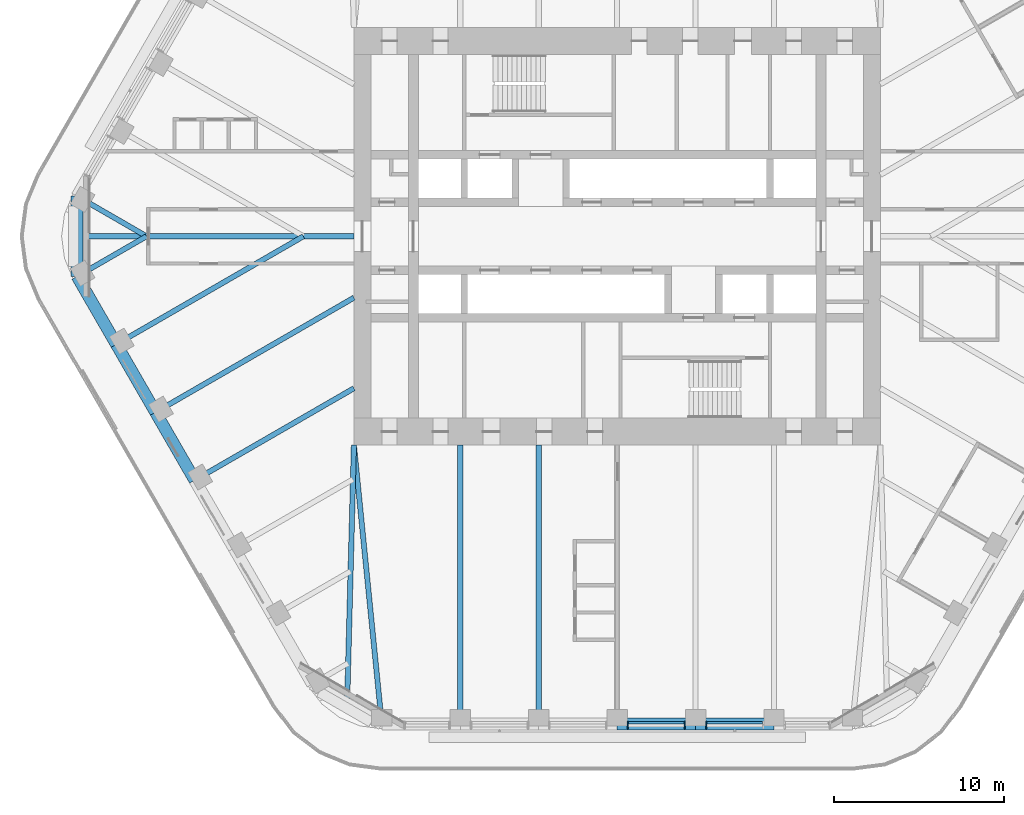
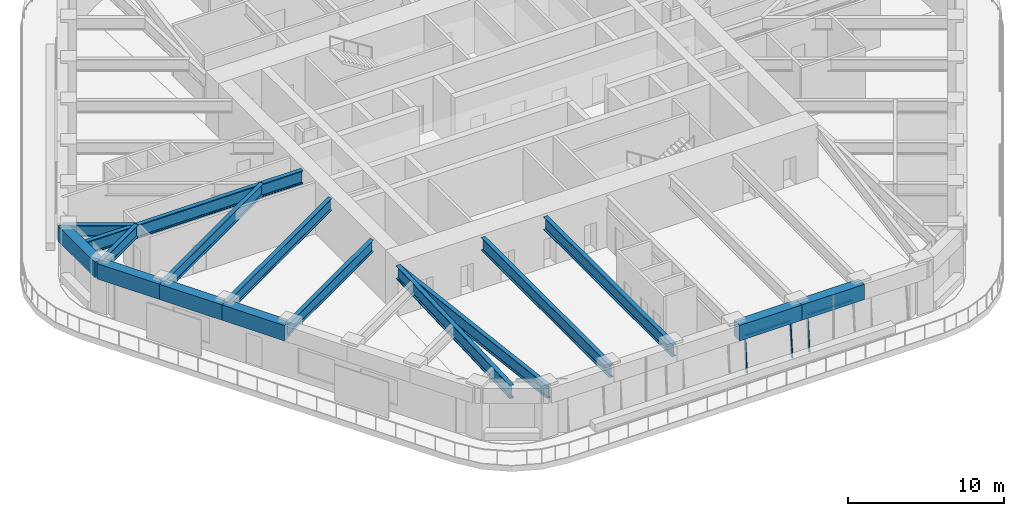
# One storey, part 3 of 20: 16 beams, 5 members, 2 elements without a shape of their own.
"""IFC4 building model written with IfcOpenShell, lengths in metres."""

from ifc_helpers import new_model, si_unit, direction, frame, origin, origin_2d, place, context, subcontext, project, spatial, rectangle, i_section, extrude, material, material_profile, profile_set, type_object, element, aggregate, save


model = new_model("IFC4")

# Units and contexts
model_context = context("Model", 3, precision=1e-05, world=origin(), true_north=direction((0.0, 1.0)))
body_context = subcontext(model_context, "Body", "Model", "MODEL_VIEW")
ifc_project = project(units=[si_unit("LENGTHUNIT", "METRE"), si_unit("AREAUNIT", "SQUARE_METRE"), si_unit("VOLUMEUNIT", "CUBIC_METRE"), si_unit("PLANEANGLEUNIT", "RADIAN"), si_unit("MASSUNIT", "GRAM", prefix="KILO")], contexts=[model_context])

# Site, building, storey
site_placement = place(None, origin())
site = spatial("IfcSite", under=ifc_project, at=site_placement, CompositionType="ELEMENT")
building_placement = place(site_placement, origin())
building = spatial("IfcBuilding", under=site, at=building_placement, Name="Tarfa Lantern Tower", CompositionType="ELEMENT")
storey_placement = place(building_placement, frame((0.0, 0.0, 270.10009765625)))
storey = spatial("IfcBuildingStorey", under=building, at=storey_placement, Name="L61", CompositionType="ELEMENT", Elevation=270.10009765625)

# Curtain wall, members
ifc_material_1 = material(Name="Aluminium framed curtain wall", Category="aluminium")
curtain_wall_type = type_object("IfcCurtainWallType", Name="CW3 CANTED GLAZING HIGH ZONE 2800", PredefinedType="USERDEFINED", material=ifc_material_1)
curtain_wall_1_placement = place(storey_placement, origin())
curtain_wall_1 = element("IfcCurtainWall", 1, at=curtain_wall_1_placement, inside=storey, type_object=curtain_wall_type, Name="CW3 S L61", ObjectType="CURTAIN WALL", PredefinedType="USERDEFINED")
ifc_material_2 = material(Name="Aluminium mullion", Category="aluminium")
ifc_material_profile_1 = material_profile(ifc_material_2, rectangle(XDim=0.06494140625, YDim=0.199951171875, at=origin_2d()), Name="AL MULLION 65x200")
ifc_profile_set_1 = profile_set([ifc_material_profile_1], Name="Aluminium mullion")
member_type_1 = type_object("IfcMemberType", Name="CWM1 MULLION 65x200", PredefinedType="MULLION", material=ifc_profile_set_1)
member_1_placement = place(storey_placement, frame((0.632568359375, -28.89990234375, 0.0), z_axis=(0.0, 0.088938092736, 0.996037155763), x_axis=(-1.0, 0.0, 0.0)))
member_1 = element("IfcMember", 2, at=member_1_placement, type_object=member_type_1, Name="CW3 mullion 1", PredefinedType="MULLION", context=body_context, shape_type="SweptSolid", body=[
    extrude(rectangle(XDim=0.06494140625, YDim=0.199951171875, at=origin_2d()), origin(), (0.0, 0.0, 1.0), 2.81103515625),
])
member_2_placement = place(storey_placement, frame((3.986328125, -28.89990234375, 0.0), z_axis=(0.0, 0.088938092736, 0.996037155763), x_axis=(-1.0, 0.0, 0.0)))
member_2 = element("IfcMember", 3, at=member_2_placement, type_object=member_type_1, Name="CW3 mullion 2", PredefinedType="MULLION", context=body_context, shape_type="SweptSolid", body=[
    extrude(rectangle(XDim=0.06494140625, YDim=0.199951171875, at=origin_2d()), origin(), (0.0, 0.0, 1.0), 2.81103515625),
])

# Curtain wall, member
curtain_wall_2_placement = place(storey_placement, origin())
curtain_wall_2 = element("IfcCurtainWall", 4, at=curtain_wall_2_placement, inside=storey, type_object=curtain_wall_type, Name="CW3 S L61", ObjectType="CURTAIN WALL", PredefinedType="USERDEFINED")
member_3_placement = place(storey_placement, frame((5.251220703125, -28.89990234375, 0.0), z_axis=(0.0, 0.088938092736, 0.996037155763), x_axis=(-1.0, 0.0, 0.0)))
member_3 = element("IfcMember", 5, at=member_3_placement, type_object=member_type_1, Name="CW3 mullion 1", PredefinedType="MULLION", context=body_context, shape_type="SweptSolid", body=[
    extrude(rectangle(XDim=0.06494140625, YDim=0.199951171875, at=origin_2d()), origin(), (0.0, 0.0, 1.0), 2.81103515625),
])

# Member
ifc_material_3 = material(Name="Aluminium transom", Category="aluminium")
ifc_material_profile_2 = material_profile(ifc_material_3, rectangle(XDim=0.14990234375, YDim=0.06494140625, at=origin_2d()), Name="AL TRANSOM 150x65")
ifc_profile_set_2 = profile_set([ifc_material_profile_2], Name="Aluminium transom")
member_type_2 = type_object("IfcMemberType", Name="CWT1 TRANSOM 150x65", PredefinedType="USERDEFINED", material=ifc_profile_set_2)
member_4_placement = place(storey_placement, frame((0.6650390625, -28.65283203125, 2.767333984375), z_axis=(1.0, 0.0, 0.0), x_axis=(0.0, 1.0, 0.0)))
member_4 = element("IfcMember", 6, at=member_4_placement, type_object=member_type_2, Name="CW3 transom 1.2", ObjectType="TRANSOM", PredefinedType="USERDEFINED", context=body_context, shape_type="SweptSolid", body=[
    extrude(rectangle(XDim=0.14990234375, YDim=0.06494140625, at=origin_2d()), origin(), (0.0, 0.0, 1.0), 3.288818359375),
])

aggregate(curtain_wall_1, [member_1, member_2, member_4])

member_5_placement = place(storey_placement, frame((5.28369140625, -28.65283203125, 2.767333984375), z_axis=(1.0, 0.0, 0.0), x_axis=(0.0, 1.0, 0.0)))
member_5 = element("IfcMember", 7, at=member_5_placement, type_object=member_type_2, Name="CW3 transom 1.2", ObjectType="TRANSOM", PredefinedType="USERDEFINED", context=body_context, shape_type="SweptSolid", body=[
    extrude(rectangle(XDim=0.14990234375, YDim=0.06494140625, at=origin_2d()), origin(), (0.0, 0.0, 1.0), 3.288818359375),
])

aggregate(curtain_wall_2, [member_3, member_5])

# Beams
ifc_material_4 = material(Name="Concrete C80/95", Category="concrete")
ifc_material_profile_3 = material_profile(ifc_material_4, rectangle(XDim=0.699951171875, YDim=1.199951171875, at=origin_2d()), Name="RC 700x1200")
ifc_profile_set_3 = profile_set([ifc_material_profile_3], Name="Concrete C80/95")
beam_type_1 = type_object("IfcBeamType", Name="EB3 RC 700x1200", PredefinedType="SPANDREL", material=ifc_profile_set_3)
beam_1_placement = place(storey_placement, frame((-31.800537109375, 2.360107421875, 3.39990234375), z_axis=(0.0, -1.0, 0.0), x_axis=(1.0, 0.0, 0.0)))
element("IfcBeam", 8, at=beam_1_placement, inside=storey, type_object=beam_type_1, Name="Edge beam NW6", PredefinedType="SPANDREL", context=body_context, shape_type="SweptSolid", body=[
    extrude(rectangle(XDim=0.699951171875, YDim=1.199951171875, at=origin_2d()), origin(), (0.0, 0.0, 1.0), 4.72021484375),
])
beam_2_placement = place(storey_placement, frame((-31.800537109375, -2.360107421875, 3.39990234375), z_axis=(0.500027479704, -0.866009537788, 0.0), x_axis=(0.866009537788, 0.500027479704, 0.0)))
element("IfcBeam", 9, at=beam_2_placement, inside=storey, type_object=beam_type_1, Name="Edge beam SW0", PredefinedType="SPANDREL", context=body_context, shape_type="SweptSolid", body=[
    extrude(rectangle(XDim=0.699951171875, YDim=1.199951171875, at=origin_2d()), origin(), (0.0, 0.0, 1.0), 4.618896484375),
])
for number, where, z_axis, x_axis, name in (
    (10, (-29.490966796875, -6.360107421875, 3.39990234375), (0.499987836815, -0.866032426089, 0.0), (0.866032426089, 0.499987836815, 0.0), "Edge beam SW1"),
    (11, (-27.181640625, -10.360107421875, 3.39990234375), (0.499987836815, -0.866032426089, 0.0), (0.866032426089, 0.499987836815, 0.0), "Edge beam SW2"),
):
    element("IfcBeam", number, at=place(storey_placement, frame(where, z_axis=z_axis, x_axis=x_axis)), inside=storey, type_object=beam_type_1, Name=name, PredefinedType="SPANDREL", context=body_context, shape_type="SweptSolid", body=[
        extrude(rectangle(XDim=0.699951171875, YDim=1.199951171875, at=origin_2d()), origin(), (0.0, 0.0, 1.0), 4.61865234375),
    ])
beam_3_placement = place(storey_placement, frame((0.0, -28.719970703125, 3.39990234375), z_axis=(1.0, 0.0, 0.0), x_axis=(0.0, 1.0, 0.0)))
element("IfcBeam", 12, at=beam_3_placement, inside=storey, type_object=beam_type_1, Name="Edge beam S3", PredefinedType="SPANDREL", context=body_context, shape_type="SweptSolid", body=[
    extrude(rectangle(XDim=0.699951171875, YDim=1.199951171875, at=origin_2d()), origin(), (0.0, 0.0, 1.0), 4.618896484375),
])
beam_4_placement = place(storey_placement, frame((4.618896484375, -28.719970703125, 3.39990234375), z_axis=(1.0, 0.0, 0.0), x_axis=(0.0, 1.0, 0.0)))
element("IfcBeam", 13, at=beam_4_placement, inside=storey, type_object=beam_type_1, Name="Edge beam S4", PredefinedType="SPANDREL", context=body_context, shape_type="SweptSolid", body=[
    extrude(rectangle(XDim=0.699951171875, YDim=1.199951171875, at=origin_2d()), origin(), (0.0, 0.0, 1.0), 4.61865234375),
])
ifc_material_5 = material(Name="Steel S460M", Category="steel")
ifc_material_profile_4 = material_profile(ifc_material_5, i_section(OverallWidth=0.302001953125, OverallDepth=1.008056640625, WebThickness=0.02099609375, FlangeThickness=0.0400390625, FilletRadius=0.030029296875, at=origin_2d()), Name="UB1016x305x349")
ifc_profile_set_4 = profile_set([ifc_material_profile_4], Name="Steel S460M")
beam_type_2 = type_object("IfcBeamType", Name="UB1016x305x349", PredefinedType="BEAM", material=ifc_profile_set_4)
beam_5_placement = place(storey_placement, frame((-13.8564453125, -28.719970703125, 3.495849609375), z_axis=(-0.099597466746, 0.995027810977, 0.0), x_axis=(-0.995027810977, -0.099597466746, 0.0)))
element("IfcBeam", 14, at=beam_5_placement, inside=storey, type_object=beam_type_2, Name="Floor beam S0", PredefinedType="BEAM", context=body_context, shape_type="SweptSolid", body=[
    extrude(i_section(OverallWidth=0.302001953125, OverallDepth=1.008056640625, WebThickness=0.02099609375, FlangeThickness=0.0400390625, FilletRadius=0.030029296875, at=origin_2d()), origin(), (0.0, 0.0, 1.0), 16.501953125),
])
for number, where, z_axis, x_axis, name in (
    (15, (-9.237548828125, -28.719970703125, 3.495849609375), (0.0, 1.0, 0.0), (-1.0, 0.0, 0.0), "Floor beam S1"),
    (16, (-4.618896484375, -28.719970703125, 3.495849609375), (0.0, 1.0, 0.0), (-1.0, 0.0, 0.0), "Floor beam S2"),
):
    element("IfcBeam", number, at=place(storey_placement, frame(where, z_axis=z_axis, x_axis=x_axis)), inside=storey, type_object=beam_type_2, Name=name, PredefinedType="BEAM", context=body_context, shape_type="SweptSolid", body=[
        extrude(i_section(OverallWidth=0.302001953125, OverallDepth=1.008056640625, WebThickness=0.02099609375, FlangeThickness=0.0400390625, FilletRadius=0.030029296875, at=origin_2d()), origin(), (0.0, 0.0, 1.0), 16.419921875),
    ])
ifc_material_profile_5 = material_profile(ifc_material_5, i_section(OverallWidth=0.30859375, OverallDepth=1.036376953125, WebThickness=0.030029296875, FlangeThickness=0.05419921875, FilletRadius=0.030029296875, at=origin_2d()), Name="UB1016x305x487")
ifc_profile_set_5 = profile_set([ifc_material_profile_5], Name="Steel S460M")
beam_type_3 = type_object("IfcBeamType", Name="UB1016x305x487", PredefinedType="BEAM", material=ifc_profile_set_5)
beam_6_placement = place(storey_placement, frame((-15.5, 0.0, 3.481689453125), z_axis=(-1.0, 0.0, 0.0), x_axis=(0.0, -1.0, 0.0)))
element("IfcBeam", 17, at=beam_6_placement, inside=storey, type_object=beam_type_3, Name="Hip girder W", PredefinedType="BEAM", context=body_context, shape_type="SweptSolid", body=[
    extrude(i_section(OverallWidth=0.30859375, OverallDepth=1.036376953125, WebThickness=0.030029296875, FlangeThickness=0.05419921875, FilletRadius=0.030029296875, at=origin_2d()), origin(), (0.0, 0.0, 1.0), 16.300537109375),
])
beam_7_placement = place(storey_placement, frame((-15.5, -12.300048828125, 3.481689453125), z_axis=(-0.026247301989, -0.999655480222, 0.0), x_axis=(0.999655480222, -0.026247301989, 0.0)))
element("IfcBeam", 18, at=beam_7_placement, inside=storey, type_object=beam_type_3, Name="Hip girder SW", PredefinedType="BEAM", context=body_context, shape_type="SweptSolid", body=[
    extrude(i_section(OverallWidth=0.30859375, OverallDepth=1.036376953125, WebThickness=0.030029296875, FlangeThickness=0.05419921875, FilletRadius=0.030029296875, at=origin_2d()), origin(), (0.0, 0.0, 1.0), 15.245361328125),
])
ifc_material_profile_6 = material_profile(ifc_material_5, i_section(OverallWidth=0.305419921875, OverallDepth=0.91845703125, WebThickness=0.017333984375, FlangeThickness=0.02783203125, FilletRadius=0.01904296875, at=origin_2d()), Name="UB914x305x253")
ifc_profile_set_6 = profile_set([ifc_material_profile_6], Name="Steel S460M")
beam_type_4 = type_object("IfcBeamType", Name="UB914x305x253", PredefinedType="BEAM", material=ifc_profile_set_6)
for number, where, z_axis, x_axis, name in (
    (19, (-31.800537109375, 2.360107421875, 3.540771484375), (0.866015897305, -0.500016465344, 0.0), (0.500016465344, 0.866015897305, 0.0), "Floor beam NW6"),
    (20, (-31.800537109375, -2.360107421875, 3.540771484375), (0.866015897305, 0.500016465344, 0.0), (-0.500016465344, 0.866015897305, 0.0), "Floor beam SW0"),
):
    element("IfcBeam", number, at=place(storey_placement, frame(where, z_axis=z_axis, x_axis=x_axis)), inside=storey, type_object=beam_type_4, Name=name, PredefinedType="BEAM", context=body_context, shape_type="SweptSolid", body=[
        extrude(i_section(OverallWidth=0.305419921875, OverallDepth=0.91845703125, WebThickness=0.017333984375, FlangeThickness=0.02783203125, FilletRadius=0.01904296875, at=origin_2d()), origin(), (0.0, 0.0, 1.0), 4.719970703125),
    ])
beam_8_placement = place(storey_placement, frame((-29.490966796875, -6.360107421875, 3.540771484375), z_axis=(0.866022258038, 0.500005448553, 0.0), x_axis=(-0.500005448553, 0.866022258038, 0.0)))
element("IfcBeam", 21, at=beam_8_placement, inside=storey, type_object=beam_type_4, Name="Floor beam SW1", PredefinedType="BEAM", context=body_context, shape_type="SweptSolid", body=[
    extrude(i_section(OverallWidth=0.305419921875, OverallDepth=0.91845703125, WebThickness=0.017333984375, FlangeThickness=0.02783203125, FilletRadius=0.01904296875, at=origin_2d()), origin(), (0.0, 0.0, 1.0), 12.719970703125),
])
beam_9_placement = place(storey_placement, frame((-27.181640625, -10.360107421875, 3.540771484375), z_axis=(0.866018002818, 0.500012818631, 0.0), x_axis=(-0.500012818631, 0.866018002818, 0.0)))
element("IfcBeam", 22, at=beam_9_placement, inside=storey, type_object=beam_type_4, Name="Floor beam SW2", PredefinedType="BEAM", context=body_context, shape_type="SweptSolid", body=[
    extrude(i_section(OverallWidth=0.305419921875, OverallDepth=0.91845703125, WebThickness=0.017333984375, FlangeThickness=0.02783203125, FilletRadius=0.01904296875, at=origin_2d()), origin(), (0.0, 0.0, 1.0), 13.489013671875),
])
beam_10_placement = place(storey_placement, frame((-24.872314453125, -14.360107421875, 3.540771484375), z_axis=(0.8660244219, 0.500001700669, 0.0), x_axis=(-0.500001700669, 0.8660244219, 0.0)))
element("IfcBeam", 23, at=beam_10_placement, inside=storey, type_object=beam_type_4, Name="Floor beam SW3", PredefinedType="BEAM", context=body_context, shape_type="SweptSolid", body=[
    extrude(i_section(OverallWidth=0.305419921875, OverallDepth=0.91845703125, WebThickness=0.017333984375, FlangeThickness=0.02783203125, FilletRadius=0.01904296875, at=origin_2d()), origin(), (0.0, 0.0, 1.0), 10.822265625),
])

save(model, "model.ifc")
